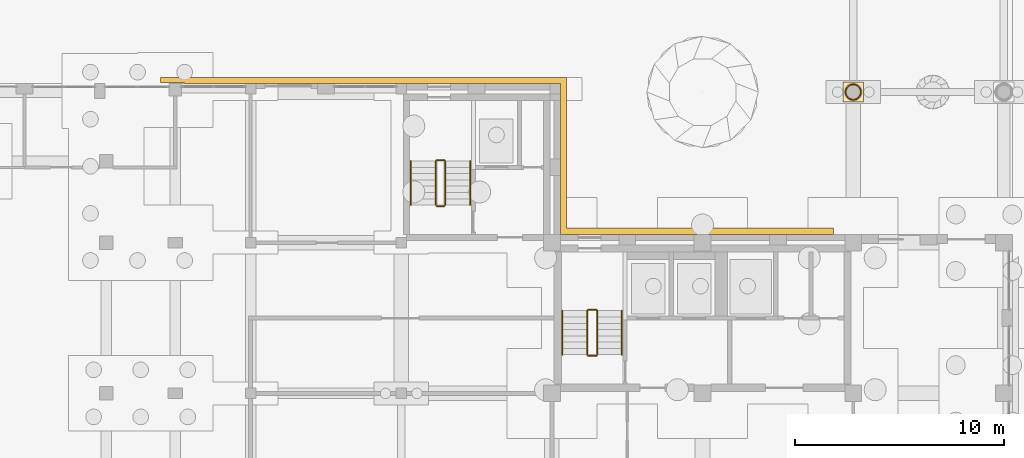
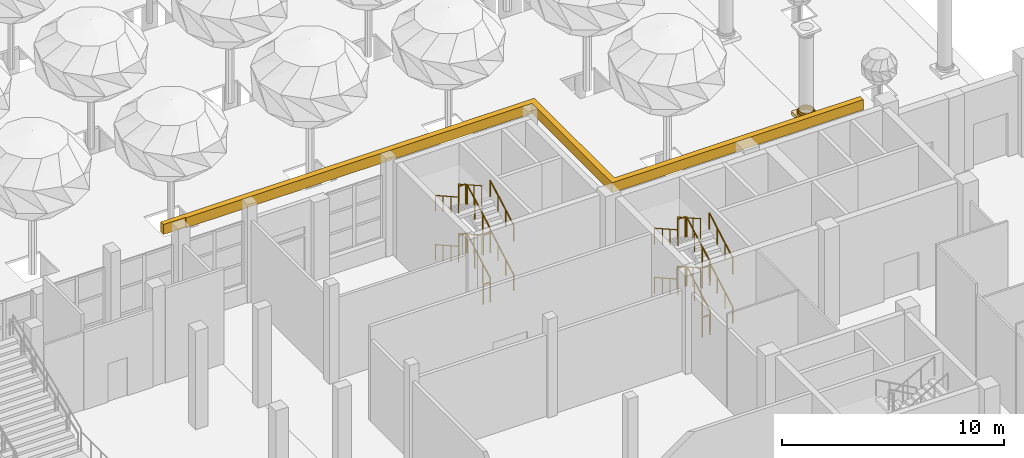
# One storey, part 63 of 80: 24 railings, 4 coverings.
"""IFC4 building model written with IfcOpenShell, lengths in metres."""

import ifcopenshell
import ifcopenshell.guid

model = None  # the IFC model being written
_history = None  # IfcOwnerHistory: only IFC2X3 demands one
_inside = {}  # id of a spatial element -> (the spatial element, [elements in it])
_under = {}  # id of a project, library or spatial element -> (it, [spatial elements below it])
_declared = {}  # id of a project -> (the project, [libraries it declares])
_typed = {}  # id of a type object -> (the type object, [elements of that type])
_made_of = {}  # id of a material, layer set ... -> (it, [elements and type objects made of it])


def new_model(schema):
    """Start an empty IFC model of exactly this schema.

    Asked for "IFC4X3", IfcOpenShell would pick the latest addendum, in which some entities
    have other attributes; the version numbers below select the first issue.
    IFC2X3 requires an IfcOwnerHistory on every rooted entity: one is made here for all.
    """
    global model, _history
    if schema == "IFC4X3":
        model = ifcopenshell.file(schema_version=(4, 3, 0, 0))
    else:
        model = ifcopenshell.file(schema=schema)
    _inside.clear()
    _under.clear()
    _declared.clear()
    _typed.clear()
    _made_of.clear()
    _history = None
    if model.schema == "IFC2X3":
        org = make("IfcOrganization", Name="unknown")
        user = make(
            "IfcPersonAndOrganization",
            ThePerson=make("IfcPerson", FamilyName="unknown"),
            TheOrganization=org,
        )
        app = make(
            "IfcApplication",
            ApplicationDeveloper=org,
            Version="unknown",
            ApplicationFullName="unknown",
            ApplicationIdentifier="unknown",
        )
        _history = make(
            "IfcOwnerHistory",
            OwningUser=user,
            OwningApplication=app,
            ChangeAction="ADDED",
            CreationDate=0,
        )
    return model


def make(cls, **values):
    """One entity of the class cls with the attributes given. An attribute that is None is left unset."""
    return model.create_entity(
        cls, **{name: value for name, value in values.items() if value is not None}
    )


def rooted(cls, **values):
    """An entity with a GlobalId (a new one), such as an element, a storey or a relation."""
    return make(cls, GlobalId=ifcopenshell.guid.new(), OwnerHistory=_history, **values)


def si_unit(unit_type, name, prefix=None):
    """IfcSIUnit, for example si_unit("LENGTHUNIT", "METRE", prefix="MILLI")."""
    return make("IfcSIUnit", UnitType=unit_type, Prefix=prefix, Name=name)


def assignment(units):
    """IfcUnitAssignment: the units of a project."""
    return None if units is None else make("IfcUnitAssignment", Units=units)


def point(xyz):
    """IfcCartesianPoint."""
    return None if xyz is None else make("IfcCartesianPoint", Coordinates=xyz)


def direction(xyz):
    """IfcDirection."""
    return None if xyz is None else make("IfcDirection", DirectionRatios=xyz)


def frame(location, z_axis=None, x_axis=None):
    """IfcAxis2Placement3D, a coordinate frame: its origin and axes. An axis left out is left unset."""
    return make(
        "IfcAxis2Placement3D",
        Location=point(location),
        Axis=direction(z_axis),
        RefDirection=direction(x_axis),
    )


def frame_2d(location, x_axis=None):
    """IfcAxis2Placement2D, a coordinate frame in the plane: its origin and x axis."""
    return make(
        "IfcAxis2Placement2D", Location=point(location), RefDirection=direction(x_axis)
    )


def origin():
    """The frame at (0, 0, 0) with its axes left unset."""
    return frame((0.0, 0.0, 0.0))


def origin_2d():
    """The frame at (0, 0) in the plane with its x axis left unset."""
    return frame_2d((0.0, 0.0))


def place(relative_to, where):
    """IfcLocalPlacement: puts the frame where relative to a parent placement (None: the world)."""
    return make(
        "IfcLocalPlacement", PlacementRelTo=relative_to, RelativePlacement=where
    )


def context(
    kind, dimensions, precision=None, world=None, true_north=None, identifier=None
):
    """IfcGeometricRepresentationContext, for example the 3D "Model" context."""
    return make(
        "IfcGeometricRepresentationContext",
        ContextIdentifier=identifier,
        ContextType=kind,
        CoordinateSpaceDimension=dimensions,
        Precision=precision,
        WorldCoordinateSystem=world,
        TrueNorth=true_north,
    )


def subcontext(parent, identifier, kind, view, scale=None):
    """IfcGeometricRepresentationSubContext, for example "Body" below "Model"."""
    return make(
        "IfcGeometricRepresentationSubContext",
        ContextIdentifier=identifier,
        ContextType=kind,
        ParentContext=parent,
        TargetScale=scale,
        TargetView=view,
    )


def project(units=None, contexts=None):
    """IfcProject with its units and contexts."""
    return rooted(
        "IfcProject",
        Name="project",
        RepresentationContexts=contexts,
        UnitsInContext=assignment(units),
    )


def spatial(cls, under=None, at=None, **own):
    """A site, building, storey or space (cls), placed at a placement, below another one or the project."""
    s = rooted(cls, ObjectPlacement=at, **own)
    if under is not None:
        _under.setdefault(under.id(), (under, []))[1].append(s)
    return s


def polyline(points):
    """IfcPolyline through the points."""
    return make("IfcPolyline", Points=[point(p) for p in points])


def profile(cls, at=None, kind="AREA", **sizes):
    """A parametric profile (cls). Its sizes go by their IFC names, for example OverallWidth=200.0."""
    return make(cls, ProfileType=kind, Position=at, **sizes)


def circle(**sizes):
    """IfcCircleProfileDef."""
    return profile("IfcCircleProfileDef", **sizes)


def outline(outer, holes=None, kind="AREA"):
    """IfcArbitraryClosedProfileDef: a profile drawn as a closed curve; with holes, ...WithVoids."""
    if holes is None:
        return make("IfcArbitraryClosedProfileDef", ProfileType=kind, OuterCurve=outer)
    return make(
        "IfcArbitraryProfileDefWithVoids",
        ProfileType=kind,
        OuterCurve=outer,
        InnerCurves=holes,
    )


def extrude(swept, where, along, depth):
    """IfcExtrudedAreaSolid: the profile swept, set in the frame where, extruded along a direction by depth."""
    return make(
        "IfcExtrudedAreaSolid",
        SweptArea=swept,
        Position=where,
        ExtrudedDirection=direction(along),
        Depth=depth,
    )


def shape(context_of_items, identifier, shape_type, items):
    """IfcShapeRepresentation: the items that make up one representation, for example the "Body"."""
    return make(
        "IfcShapeRepresentation",
        ContextOfItems=context_of_items,
        RepresentationIdentifier=identifier,
        RepresentationType=shape_type,
        Items=items,
    )


def material(Name=None, Category=None):
    """IfcMaterial."""
    return make("IfcMaterial", Name=Name, Category=Category)


def made_of(thing, what):
    """Note that an element or type object is made of a material, layer set ...; save() writes the relation."""
    if what is not None:
        _made_of.setdefault(what.id(), (what, []))[1].append(thing)
    return thing


def type_object(cls, material=None, **own):
    """A type object (cls), such as IfcWallType, which elements share."""
    return made_of(rooted(cls, **own), material)


def element(
    cls,
    number,
    at=None,
    inside=None,
    cuts=None,
    type_object=None,
    material=None,
    context=None,
    identifier="Body",
    shape_type=None,
    held_by="IfcProductDefinitionShape",
    body=None,
    shapes=None,
    **own,
):
    """One element of the class cls, such as IfcWall. Its Tag is "e" and its number.

    at: its placement. inside: the storey or other place that contains it. cuts: it is an
    opening in that element (IfcRelVoidsElement). A single representation is given by context,
    identifier, shape_type and body (its items); several are given by shapes. held_by: the class
    of the entity that holds the representations. save() writes the other relations.
    """
    e = rooted(cls, Tag="e%d" % number, ObjectPlacement=at, **own)
    if body is not None:
        shapes = [shape(context, identifier, shape_type, body)]
    if shapes is not None:
        e.Representation = make(held_by, Representations=shapes)
    if inside is not None:
        _inside.setdefault(inside.id(), (inside, []))[1].append(e)
    if cuts is not None:
        rooted(
            "IfcRelVoidsElement", RelatingBuildingElement=cuts, RelatedOpeningElement=e
        )
    if type_object is not None:
        _typed.setdefault(type_object.id(), (type_object, []))[1].append(e)
    return made_of(e, material)


def aggregate(whole, parts):
    """IfcRelAggregates: a whole, such as a stair, and the parts it consists of."""
    return rooted("IfcRelAggregates", RelatingObject=whole, RelatedObjects=parts)


def save(model, path):
    """Write the relations noted so far, then the file.

    IfcRelAggregates (storeys below a building ...), IfcRelContainedInSpatialStructure (elements
    in a storey), IfcRelDefinesByType, IfcRelAssociatesMaterial and IfcRelDeclares: one each for
    every whole, place, type object, material and project.
    """
    for whole, parts in _under.values():
        aggregate(whole, parts)
    for where, things in _inside.values():
        rooted(
            "IfcRelContainedInSpatialStructure",
            RelatedElements=things,
            RelatingStructure=where,
        )
    for kind, things in _typed.values():
        rooted("IfcRelDefinesByType", RelatedObjects=things, RelatingType=kind)
    for what, things in _made_of.values():
        rooted("IfcRelAssociatesMaterial", RelatedObjects=things, RelatingMaterial=what)
    for by, libraries in _declared.values():
        rooted("IfcRelDeclares", RelatingContext=by, RelatedDefinitions=libraries)
    model.write(path)


model = new_model("IFC4")

# Units and contexts
model_context = context("Model", 3, precision=1e-05, world=origin(), true_north=direction((0.0, 1.0)))
body_context = subcontext(model_context, "Body", "Model", "MODEL_VIEW")
ifc_project = project(units=[si_unit("LENGTHUNIT", "METRE"), si_unit("AREAUNIT", "SQUARE_METRE"), si_unit("VOLUMEUNIT", "CUBIC_METRE"), si_unit("PLANEANGLEUNIT", "RADIAN"), si_unit("MASSUNIT", "GRAM", prefix="KILO")], contexts=[model_context])

# Site, building, storey
site_placement = place(None, origin())
site = spatial("IfcSite", under=ifc_project, at=site_placement, CompositionType="ELEMENT")
building_placement = place(site_placement, origin())
building = spatial("IfcBuilding", under=site, at=building_placement, Name="Ussher Court Research Institute", CompositionType="ELEMENT")
storey_placement = place(building_placement, origin())
storey = spatial("IfcBuildingStorey", under=building, at=storey_placement, Name="L00", CompositionType="ELEMENT", Elevation=0.0)

# Coverings
ifc_material_1 = material(Name="Limestone cornice", Category="masonry")
covering_type_1 = type_object("IfcCoveringType", Name="Column base fillet 650 728x100", PredefinedType="CLADDING", material=ifc_material_1)
covering_1_placement = place(storey_placement, frame((0.0, 0.0, 0.320068359375)))
element("IfcCovering", 1, at=covering_1_placement, inside=storey, type_object=covering_type_1, Name="Column base CC22", PredefinedType="CLADDING", context=body_context, shape_type="SweptSolid", body=[
    extrude(outline(polyline([(96.964111328125, 40.0), (96.9609375, 40.047607421875), (96.95166015625, 40.09423828125), (96.936279296875, 40.139404296875), (96.915283203125, 40.181884765625), (96.888916015625, 40.2216796875), (96.857421875, 40.25732421875), (96.821533203125, 40.288818359375), (96.781982421875, 40.315185546875), (96.7392578125, 40.336181640625), (96.694091796875, 40.3515625), (96.6474609375, 40.36083984375), (96.60009765625, 40.364013671875), (96.552490234375, 40.36083984375), (96.505859375, 40.3515625), (96.460693359375, 40.336181640625), (96.41796875, 40.315185546875), (96.37841796875, 40.288818359375), (96.342529296875, 40.25732421875), (96.311279296875, 40.2216796875), (96.284912109375, 40.181884765625), (96.263671875, 40.139404296875), (96.248291015625, 40.09423828125), (96.239013671875, 40.047607421875), (96.236083984375, 40.0), (96.239013671875, 39.952392578125), (96.248291015625, 39.90576171875), (96.263671875, 39.860595703125), (96.284912109375, 39.818115234375), (96.311279296875, 39.7783203125), (96.342529296875, 39.74267578125), (96.37841796875, 39.711181640625), (96.41796875, 39.684814453125), (96.460693359375, 39.663818359375), (96.505859375, 39.6484375), (96.552490234375, 39.63916015625), (96.60009765625, 39.635986328125), (96.6474609375, 39.63916015625), (96.694091796875, 39.6484375), (96.7392578125, 39.663818359375), (96.781982421875, 39.684814453125), (96.821533203125, 39.711181640625), (96.857421875, 39.74267578125), (96.888916015625, 39.7783203125), (96.915283203125, 39.818115234375), (96.936279296875, 39.860595703125), (96.95166015625, 39.90576171875), (96.9609375, 39.952392578125), (96.964111328125, 40.0)]), holes=[polyline([(96.92578125, 40.0), (96.9228515625, 40.04248046875), (96.91455078125, 40.084228515625), (96.90087890625, 40.12451171875), (96.882080078125, 40.162841796875), (96.8583984375, 40.1982421875), (96.830322265625, 40.230224609375), (96.79833984375, 40.25830078125), (96.7626953125, 40.281982421875), (96.724609375, 40.30078125), (96.684326171875, 40.314697265625), (96.642578125, 40.322998046875), (96.60009765625, 40.32568359375), (96.5576171875, 40.322998046875), (96.515625, 40.314697265625), (96.475341796875, 40.30078125), (96.437255859375, 40.281982421875), (96.401611328125, 40.25830078125), (96.36962890625, 40.230224609375), (96.341552734375, 40.1982421875), (96.31787109375, 40.162841796875), (96.299072265625, 40.12451171875), (96.285400390625, 40.084228515625), (96.277099609375, 40.04248046875), (96.2744140625, 40.0), (96.277099609375, 39.95751953125), (96.285400390625, 39.915771484375), (96.299072265625, 39.87548828125), (96.31787109375, 39.837158203125), (96.341552734375, 39.8017578125), (96.36962890625, 39.769775390625), (96.401611328125, 39.74169921875), (96.437255859375, 39.718017578125), (96.475341796875, 39.69921875), (96.515625, 39.685302734375), (96.5576171875, 39.677001953125), (96.60009765625, 39.67431640625), (96.642578125, 39.677001953125), (96.684326171875, 39.685302734375), (96.724609375, 39.69921875), (96.7626953125, 39.718017578125), (96.79833984375, 39.74169921875), (96.830322265625, 39.769775390625), (96.8583984375, 39.8017578125), (96.882080078125, 39.837158203125), (96.90087890625, 39.87548828125), (96.91455078125, 39.915771484375), (96.9228515625, 39.95751953125), (96.92578125, 40.0)])]), origin(), (0.0, 0.0, 1.0), 0.099853515625),
])
ifc_material_2 = material(Name="Limestone cornice", Category="masonry")
covering_type_2 = type_object("IfcCoveringType", Name="Column base torus 650 812x120", PredefinedType="CLADDING", material=ifc_material_2)
covering_2_placement = place(storey_placement, frame((0.0, 0.0, 0.199951171875)))
element("IfcCovering", 2, at=covering_2_placement, inside=storey, type_object=covering_type_2, Name="Column base CC21", PredefinedType="CLADDING", context=body_context, shape_type="SweptSolid", body=[
    extrude(outline(polyline([(97.006103515625, 40.0), (97.002685546875, 40.052978515625), (96.992431640625, 40.10498046875), (96.975341796875, 40.155517578125), (96.951904296875, 40.203125), (96.92236328125, 40.247314453125), (96.88720703125, 40.287109375), (96.847412109375, 40.322265625), (96.802978515625, 40.351806640625), (96.75537109375, 40.375244140625), (96.705078125, 40.392333984375), (96.653076171875, 40.402587890625), (96.60009765625, 40.40625), (96.547119140625, 40.402587890625), (96.494873046875, 40.392333984375), (96.444580078125, 40.375244140625), (96.39697265625, 40.351806640625), (96.352783203125, 40.322265625), (96.312744140625, 40.287109375), (96.277587890625, 40.247314453125), (96.248291015625, 40.203125), (96.224609375, 40.155517578125), (96.20751953125, 40.10498046875), (96.197265625, 40.052978515625), (96.19384765625, 40.0), (96.197265625, 39.947021484375), (96.20751953125, 39.89501953125), (96.224609375, 39.844482421875), (96.248291015625, 39.796875), (96.277587890625, 39.752685546875), (96.312744140625, 39.712890625), (96.352783203125, 39.677734375), (96.39697265625, 39.648193359375), (96.444580078125, 39.624755859375), (96.494873046875, 39.607666015625), (96.547119140625, 39.597412109375), (96.60009765625, 39.59375), (96.653076171875, 39.597412109375), (96.705078125, 39.607666015625), (96.75537109375, 39.624755859375), (96.802978515625, 39.648193359375), (96.847412109375, 39.677734375), (96.88720703125, 39.712890625), (96.92236328125, 39.752685546875), (96.951904296875, 39.796875), (96.975341796875, 39.844482421875), (96.992431640625, 39.89501953125), (97.002685546875, 39.947021484375), (97.006103515625, 40.0)]), holes=[polyline([(96.92578125, 40.0), (96.9228515625, 40.04248046875), (96.91455078125, 40.084228515625), (96.90087890625, 40.12451171875), (96.882080078125, 40.162841796875), (96.8583984375, 40.1982421875), (96.830322265625, 40.230224609375), (96.79833984375, 40.25830078125), (96.7626953125, 40.281982421875), (96.724609375, 40.30078125), (96.684326171875, 40.314697265625), (96.642578125, 40.322998046875), (96.60009765625, 40.32568359375), (96.5576171875, 40.322998046875), (96.515625, 40.314697265625), (96.475341796875, 40.30078125), (96.437255859375, 40.281982421875), (96.401611328125, 40.25830078125), (96.36962890625, 40.230224609375), (96.341552734375, 40.1982421875), (96.31787109375, 40.162841796875), (96.299072265625, 40.12451171875), (96.285400390625, 40.084228515625), (96.277099609375, 40.04248046875), (96.2744140625, 40.0), (96.277099609375, 39.95751953125), (96.285400390625, 39.915771484375), (96.299072265625, 39.87548828125), (96.31787109375, 39.837158203125), (96.341552734375, 39.8017578125), (96.36962890625, 39.769775390625), (96.401611328125, 39.74169921875), (96.437255859375, 39.718017578125), (96.475341796875, 39.69921875), (96.515625, 39.685302734375), (96.5576171875, 39.677001953125), (96.60009765625, 39.67431640625), (96.642578125, 39.677001953125), (96.684326171875, 39.685302734375), (96.724609375, 39.69921875), (96.7626953125, 39.718017578125), (96.79833984375, 39.74169921875), (96.830322265625, 39.769775390625), (96.8583984375, 39.8017578125), (96.882080078125, 39.837158203125), (96.90087890625, 39.87548828125), (96.91455078125, 39.915771484375), (96.9228515625, 39.95751953125), (96.92578125, 40.0)])]), origin(), (0.0, 0.0, 1.0), 0.1201171875),
])
ifc_material_3 = material(Name="Limestone cornice", Category="masonry")
covering_type_3 = type_object("IfcCoveringType", Name="Column plinth 650 975x200", PredefinedType="CLADDING", material=ifc_material_3)
covering_3_placement = place(storey_placement, origin())
element("IfcCovering", 3, at=covering_3_placement, inside=storey, type_object=covering_type_3, Name="Column base CC20", PredefinedType="CLADDING", context=body_context, shape_type="SweptSolid", body=[
    extrude(outline(polyline([(97.08740234375, 39.512451171875), (97.08740234375, 40.487548828125), (96.112548828125, 40.487548828125), (96.112548828125, 39.512451171875), (97.08740234375, 39.512451171875)]), holes=[polyline([(96.92578125, 40.0), (96.9228515625, 40.04248046875), (96.91455078125, 40.084228515625), (96.90087890625, 40.12451171875), (96.882080078125, 40.162841796875), (96.8583984375, 40.1982421875), (96.830322265625, 40.230224609375), (96.79833984375, 40.25830078125), (96.7626953125, 40.281982421875), (96.724609375, 40.30078125), (96.684326171875, 40.314697265625), (96.642578125, 40.322998046875), (96.60009765625, 40.32568359375), (96.5576171875, 40.322998046875), (96.515625, 40.314697265625), (96.475341796875, 40.30078125), (96.437255859375, 40.281982421875), (96.401611328125, 40.25830078125), (96.36962890625, 40.230224609375), (96.341552734375, 40.1982421875), (96.31787109375, 40.162841796875), (96.299072265625, 40.12451171875), (96.285400390625, 40.084228515625), (96.277099609375, 40.04248046875), (96.2744140625, 40.0), (96.277099609375, 39.95751953125), (96.285400390625, 39.915771484375), (96.299072265625, 39.87548828125), (96.31787109375, 39.837158203125), (96.341552734375, 39.8017578125), (96.36962890625, 39.769775390625), (96.401611328125, 39.74169921875), (96.437255859375, 39.718017578125), (96.475341796875, 39.69921875), (96.515625, 39.685302734375), (96.5576171875, 39.677001953125), (96.60009765625, 39.67431640625), (96.642578125, 39.677001953125), (96.684326171875, 39.685302734375), (96.724609375, 39.69921875), (96.7626953125, 39.718017578125), (96.79833984375, 39.74169921875), (96.830322265625, 39.769775390625), (96.8583984375, 39.8017578125), (96.882080078125, 39.837158203125), (96.90087890625, 39.87548828125), (96.91455078125, 39.915771484375), (96.9228515625, 39.95751953125), (96.92578125, 40.0)])]), origin(), (0.0, 0.0, 1.0), 0.199951171875),
])

# Railings
ifc_material_4 = material(Name="Painted steel balustrade", Category="steel")
railing_type_1 = type_object("IfcRailingType", Name="Stair guard 1100 steel balustrade", PredefinedType="GUARDRAIL", material=ifc_material_4)
railing_1_placement = place(storey_placement, frame((77.10009765625, 34.60009765625, 0.168701171875)))
element("IfcRailing", 4, at=railing_1_placement, inside=storey, type_object=railing_type_1, Name="L00 E1 stair guard 1", PredefinedType="GUARDRAIL", context=body_context, shape_type="SweptSolid", body=[
    extrude(circle(Radius=0.02392578125, at=origin_2d()), frame((0.0, 0.0, 1.076171875), z_axis=(0.0, 0.871534942205, 0.490333401387), x_axis=(-1.0, 0.0, 0.0)), (0.0, 0.0, 1.0), 2.409423828125),
    extrude(circle(Radius=0.02099609375, at=origin_2d()), origin(), (0.0, 0.0, 1.0), 1.052001953125),
    extrude(circle(Radius=0.02099609375, at=origin_2d()), frame((0.0, 0.699951171875, 0.393798828125)), (0.0, 0.0, 1.0), 1.052001953125),
    extrude(circle(Radius=0.02099609375, at=origin_2d()), frame((0.0, 1.39990234375, 0.78759765625)), (0.0, 0.0, 1.0), 1.052001953125),
    extrude(circle(Radius=0.02099609375, at=origin_2d()), frame((0.0, 2.099853515625, 1.181396484375)), (0.0, 0.0, 1.0), 1.052001953125),
])
railing_2_placement = place(storey_placement, frame((77.050048828125, 36.75, 1.35009765625)))
element("IfcRailing", 5, at=railing_2_placement, inside=storey, type_object=railing_type_1, Name="L00 E1 stair guard 2", PredefinedType="GUARDRAIL", context=body_context, shape_type="SweptSolid", body=[
    extrude(circle(Radius=0.02392578125, at=origin_2d()), frame((0.0, 0.0, 1.076171875), z_axis=(-1.0, 0.0, 0.0), x_axis=(0.0, -1.0, 0.0)), (0.0, 0.0, 1.0), 0.35009765625),
    extrude(circle(Radius=0.02099609375, at=origin_2d()), origin(), (0.0, 0.0, 1.0), 1.052001953125),
    extrude(circle(Radius=0.02099609375, at=origin_2d()), frame((-0.35009765625, 0.0, 0.0)), (0.0, 0.0, 1.0), 1.052001953125),
])
railing_3_placement = place(storey_placement, frame((76.64990234375, 36.699951171875, 1.518798828125)))
element("IfcRailing", 6, at=railing_3_placement, inside=storey, type_object=railing_type_1, Name="L00 E1 stair guard 3", PredefinedType="GUARDRAIL", context=body_context, shape_type="SweptSolid", body=[
    extrude(circle(Radius=0.02392578125, at=origin_2d()), frame((0.0, 0.0, 1.076171875), z_axis=(0.0, -0.871578243375, 0.49025642849), x_axis=(1.0, 0.0, 0.0)), (0.0, 0.0, 1.0), 2.4091796875),
    extrude(circle(Radius=0.02099609375, at=origin_2d()), origin(), (0.0, 0.0, 1.0), 1.052001953125),
    extrude(circle(Radius=0.02099609375, at=origin_2d()), frame((0.0, -0.699951171875, 0.393798828125)), (0.0, 0.0, 1.0), 1.052001953125),
    extrude(circle(Radius=0.02099609375, at=origin_2d()), frame((0.0, -1.39990234375, 0.787353515625)), (0.0, 0.0, 1.0), 1.052001953125),
    extrude(circle(Radius=0.02099609375, at=origin_2d()), frame((0.0, -2.099853515625, 1.18115234375)), (0.0, 0.0, 1.0), 1.052001953125),
])
railing_4_placement = place(storey_placement, frame((77.050048828125, 34.550048828125, 2.699951171875)))
element("IfcRailing", 7, at=railing_4_placement, inside=storey, type_object=railing_type_1, Name="L00 E1 stair guard 4", PredefinedType="GUARDRAIL", context=body_context, shape_type="SweptSolid", body=[
    extrude(circle(Radius=0.02392578125, at=origin_2d()), frame((0.0, 0.0, 1.076171875), z_axis=(-1.0, 0.0, 0.0), x_axis=(0.0, -1.0, 0.0)), (0.0, 0.0, 1.0), 0.35009765625),
    extrude(circle(Radius=0.02099609375, at=origin_2d()), origin(), (0.0, 0.0, 1.0), 1.052001953125),
    extrude(circle(Radius=0.02099609375, at=origin_2d()), frame((-0.35009765625, 0.0, 0.0)), (0.0, 0.0, 1.0), 1.052001953125),
])
railing_5_placement = place(storey_placement, frame((77.10009765625, 34.60009765625, 2.86865234375)))
element("IfcRailing", 8, at=railing_5_placement, inside=storey, type_object=railing_type_1, Name="L00 E1 stair guard 5", PredefinedType="GUARDRAIL", context=body_context, shape_type="SweptSolid", body=[
    extrude(circle(Radius=0.02392578125, at=origin_2d()), frame((0.0, 0.0, 1.076171875), z_axis=(0.0, 0.871534942205, 0.490333401387), x_axis=(-1.0, 0.0, 0.0)), (0.0, 0.0, 1.0), 2.409423828125),
    extrude(circle(Radius=0.02099609375, at=origin_2d()), origin(), (0.0, 0.0, 1.0), 1.052001953125),
    extrude(circle(Radius=0.02099609375, at=origin_2d()), frame((0.0, 0.699951171875, 0.393798828125)), (0.0, 0.0, 1.0), 1.052001953125),
    extrude(circle(Radius=0.02099609375, at=origin_2d()), frame((0.0, 1.39990234375, 0.78759765625)), (0.0, 0.0, 1.0), 1.052001953125),
    extrude(circle(Radius=0.02099609375, at=origin_2d()), frame((0.0, 2.099853515625, 1.181396484375)), (0.0, 0.0, 1.0), 1.052001953125),
])
railing_6_placement = place(storey_placement, frame((77.050048828125, 36.75, 4.050048828125)))
element("IfcRailing", 9, at=railing_6_placement, inside=storey, type_object=railing_type_1, Name="L00 E1 stair guard 6", PredefinedType="GUARDRAIL", context=body_context, shape_type="SweptSolid", body=[
    extrude(circle(Radius=0.02392578125, at=origin_2d()), frame((0.0, 0.0, 1.076171875), z_axis=(-1.0, 0.0, 0.0), x_axis=(0.0, -1.0, 0.0)), (0.0, 0.0, 1.0), 0.35009765625),
    extrude(circle(Radius=0.02099609375, at=origin_2d()), origin(), (0.0, 0.0, 1.0), 1.052001953125),
    extrude(circle(Radius=0.02099609375, at=origin_2d()), frame((-0.35009765625, 0.0, 0.0)), (0.0, 0.0, 1.0), 1.052001953125),
])
railing_7_placement = place(storey_placement, frame((76.64990234375, 36.699951171875, 4.21875)))
element("IfcRailing", 10, at=railing_7_placement, inside=storey, type_object=railing_type_1, Name="L00 E1 stair guard 7", PredefinedType="GUARDRAIL", context=body_context, shape_type="SweptSolid", body=[
    extrude(circle(Radius=0.02392578125, at=origin_2d()), frame((0.0, 0.0, 1.076171875), z_axis=(0.0, -0.871578243375, 0.49025642849), x_axis=(1.0, 0.0, 0.0)), (0.0, 0.0, 1.0), 2.4091796875),
    extrude(circle(Radius=0.02099609375, at=origin_2d()), origin(), (0.0, 0.0, 1.0), 1.052001953125),
    extrude(circle(Radius=0.02099609375, at=origin_2d()), frame((0.0, -0.699951171875, 0.393798828125)), (0.0, 0.0, 1.0), 1.052001953125),
    extrude(circle(Radius=0.02099609375, at=origin_2d()), frame((0.0, -1.39990234375, 0.787353515625)), (0.0, 0.0, 1.0), 1.052001953125),
    extrude(circle(Radius=0.02099609375, at=origin_2d()), frame((0.0, -2.099853515625, 1.18115234375)), (0.0, 0.0, 1.0), 1.052001953125),
])
railing_8_placement = place(storey_placement, frame((77.050048828125, 34.550048828125, 0.0)))
element("IfcRailing", 11, at=railing_8_placement, inside=storey, type_object=railing_type_1, Name="L00 E1 stair guard 8", PredefinedType="GUARDRAIL", context=body_context, shape_type="SweptSolid", body=[
    extrude(circle(Radius=0.02392578125, at=origin_2d()), frame((0.0, 0.0, 1.076171875), z_axis=(-1.0, 0.0, 0.0), x_axis=(0.0, -1.0, 0.0)), (0.0, 0.0, 1.0), 0.35009765625),
    extrude(circle(Radius=0.02099609375, at=origin_2d()), origin(), (0.0, 0.0, 1.0), 1.052001953125),
    extrude(circle(Radius=0.02099609375, at=origin_2d()), frame((-0.35009765625, 0.0, 0.0)), (0.0, 0.0, 1.0), 1.052001953125),
])
railing_9_placement = place(storey_placement, frame((84.3701171875, 27.449951171875, 0.168701171875)))
element("IfcRailing", 12, at=railing_9_placement, inside=storey, type_object=railing_type_1, Name="L00 T1 stair guard 1", PredefinedType="GUARDRAIL", context=body_context, shape_type="SweptSolid", body=[
    extrude(circle(Radius=0.02392578125, at=origin_2d()), frame((0.0, 0.0, 1.076171875), z_axis=(0.0, 0.871559301308, 0.490290102189), x_axis=(-1.0, 0.0, 0.0)), (0.0, 0.0, 1.0), 2.40966796875),
    extrude(circle(Radius=0.02099609375, at=origin_2d()), origin(), (0.0, 0.0, 1.0), 1.052001953125),
    extrude(circle(Radius=0.02099609375, at=origin_2d()), frame((0.0, 0.699951171875, 0.393798828125)), (0.0, 0.0, 1.0), 1.052001953125),
    extrude(circle(Radius=0.02099609375, at=origin_2d()), frame((0.0, 1.400146484375, 0.78759765625)), (0.0, 0.0, 1.0), 1.052001953125),
    extrude(circle(Radius=0.02099609375, at=origin_2d()), frame((0.0, 2.10009765625, 1.181396484375)), (0.0, 0.0, 1.0), 1.052001953125),
])
railing_10_placement = place(storey_placement, frame((84.320068359375, 29.60009765625, 1.35009765625)))
element("IfcRailing", 13, at=railing_10_placement, inside=storey, type_object=railing_type_1, Name="L00 T1 stair guard 2", PredefinedType="GUARDRAIL", context=body_context, shape_type="SweptSolid", body=[
    extrude(circle(Radius=0.02392578125, at=origin_2d()), frame((0.0, 0.0, 1.076171875), z_axis=(-1.0, 0.0, 0.0), x_axis=(0.0, -1.0, 0.0)), (0.0, 0.0, 1.0), 0.39013671875),
    extrude(circle(Radius=0.02099609375, at=origin_2d()), origin(), (0.0, 0.0, 1.0), 1.052001953125),
    extrude(circle(Radius=0.02099609375, at=origin_2d()), frame((-0.39013671875, 0.0, 0.0)), (0.0, 0.0, 1.0), 1.052001953125),
])
railing_11_placement = place(storey_placement, frame((83.8798828125, 29.550048828125, 1.518798828125)))
element("IfcRailing", 14, at=railing_11_placement, inside=storey, type_object=railing_type_1, Name="L00 T1 stair guard 3", PredefinedType="GUARDRAIL", context=body_context, shape_type="SweptSolid", body=[
    extrude(circle(Radius=0.02392578125, at=origin_2d()), frame((0.0, 0.0, 1.076171875), z_axis=(0.0, -0.871602596039, 0.490213131788), x_axis=(1.0, 0.0, 0.0)), (0.0, 0.0, 1.0), 2.409423828125),
    extrude(circle(Radius=0.02099609375, at=origin_2d()), origin(), (0.0, 0.0, 1.0), 1.052001953125),
    extrude(circle(Radius=0.02099609375, at=origin_2d()), frame((0.0, -0.699951171875, 0.393798828125)), (0.0, 0.0, 1.0), 1.052001953125),
    extrude(circle(Radius=0.02099609375, at=origin_2d()), frame((0.0, -1.400146484375, 0.787353515625)), (0.0, 0.0, 1.0), 1.052001953125),
    extrude(circle(Radius=0.02099609375, at=origin_2d()), frame((0.0, -2.10009765625, 1.18115234375)), (0.0, 0.0, 1.0), 1.052001953125),
])
railing_12_placement = place(storey_placement, frame((84.320068359375, 27.39990234375, 2.699951171875)))
element("IfcRailing", 15, at=railing_12_placement, inside=storey, type_object=railing_type_1, Name="L00 T1 stair guard 4", PredefinedType="GUARDRAIL", context=body_context, shape_type="SweptSolid", body=[
    extrude(circle(Radius=0.02392578125, at=origin_2d()), frame((0.0, 0.0, 1.076171875), z_axis=(-1.0, 0.0, 0.0), x_axis=(0.0, -1.0, 0.0)), (0.0, 0.0, 1.0), 0.39013671875),
    extrude(circle(Radius=0.02099609375, at=origin_2d()), origin(), (0.0, 0.0, 1.0), 1.052001953125),
    extrude(circle(Radius=0.02099609375, at=origin_2d()), frame((-0.39013671875, 0.0, 0.0)), (0.0, 0.0, 1.0), 1.052001953125),
])
railing_13_placement = place(storey_placement, frame((84.3701171875, 27.449951171875, 2.86865234375)))
element("IfcRailing", 16, at=railing_13_placement, inside=storey, type_object=railing_type_1, Name="L00 T1 stair guard 5", PredefinedType="GUARDRAIL", context=body_context, shape_type="SweptSolid", body=[
    extrude(circle(Radius=0.02392578125, at=origin_2d()), frame((0.0, 0.0, 1.076171875), z_axis=(0.0, 0.871559301308, 0.490290102189), x_axis=(-1.0, 0.0, 0.0)), (0.0, 0.0, 1.0), 2.40966796875),
    extrude(circle(Radius=0.02099609375, at=origin_2d()), origin(), (0.0, 0.0, 1.0), 1.052001953125),
    extrude(circle(Radius=0.02099609375, at=origin_2d()), frame((0.0, 0.699951171875, 0.393798828125)), (0.0, 0.0, 1.0), 1.052001953125),
    extrude(circle(Radius=0.02099609375, at=origin_2d()), frame((0.0, 1.400146484375, 0.78759765625)), (0.0, 0.0, 1.0), 1.052001953125),
    extrude(circle(Radius=0.02099609375, at=origin_2d()), frame((0.0, 2.10009765625, 1.181396484375)), (0.0, 0.0, 1.0), 1.052001953125),
])
railing_14_placement = place(storey_placement, frame((84.320068359375, 29.60009765625, 4.050048828125)))
element("IfcRailing", 17, at=railing_14_placement, inside=storey, type_object=railing_type_1, Name="L00 T1 stair guard 6", PredefinedType="GUARDRAIL", context=body_context, shape_type="SweptSolid", body=[
    extrude(circle(Radius=0.02392578125, at=origin_2d()), frame((0.0, 0.0, 1.076171875), z_axis=(-1.0, 0.0, 0.0), x_axis=(0.0, -1.0, 0.0)), (0.0, 0.0, 1.0), 0.39013671875),
    extrude(circle(Radius=0.02099609375, at=origin_2d()), origin(), (0.0, 0.0, 1.0), 1.052001953125),
    extrude(circle(Radius=0.02099609375, at=origin_2d()), frame((-0.39013671875, 0.0, 0.0)), (0.0, 0.0, 1.0), 1.052001953125),
])
railing_15_placement = place(storey_placement, frame((83.8798828125, 29.550048828125, 4.21875)))
element("IfcRailing", 18, at=railing_15_placement, inside=storey, type_object=railing_type_1, Name="L00 T1 stair guard 7", PredefinedType="GUARDRAIL", context=body_context, shape_type="SweptSolid", body=[
    extrude(circle(Radius=0.02392578125, at=origin_2d()), frame((0.0, 0.0, 1.076171875), z_axis=(0.0, -0.871602596039, 0.490213131788), x_axis=(1.0, 0.0, 0.0)), (0.0, 0.0, 1.0), 2.409423828125),
    extrude(circle(Radius=0.02099609375, at=origin_2d()), origin(), (0.0, 0.0, 1.0), 1.052001953125),
    extrude(circle(Radius=0.02099609375, at=origin_2d()), frame((0.0, -0.699951171875, 0.393798828125)), (0.0, 0.0, 1.0), 1.052001953125),
    extrude(circle(Radius=0.02099609375, at=origin_2d()), frame((0.0, -1.400146484375, 0.787353515625)), (0.0, 0.0, 1.0), 1.052001953125),
    extrude(circle(Radius=0.02099609375, at=origin_2d()), frame((0.0, -2.10009765625, 1.18115234375)), (0.0, 0.0, 1.0), 1.052001953125),
])
railing_16_placement = place(storey_placement, frame((84.320068359375, 27.39990234375, 0.0)))
element("IfcRailing", 19, at=railing_16_placement, inside=storey, type_object=railing_type_1, Name="L00 T1 stair guard 8", PredefinedType="GUARDRAIL", context=body_context, shape_type="SweptSolid", body=[
    extrude(circle(Radius=0.02392578125, at=origin_2d()), frame((0.0, 0.0, 1.076171875), z_axis=(-1.0, 0.0, 0.0), x_axis=(0.0, -1.0, 0.0)), (0.0, 0.0, 1.0), 0.39013671875),
    extrude(circle(Radius=0.02099609375, at=origin_2d()), origin(), (0.0, 0.0, 1.0), 1.052001953125),
    extrude(circle(Radius=0.02099609375, at=origin_2d()), frame((-0.39013671875, 0.0, 0.0)), (0.0, 0.0, 1.0), 1.052001953125),
])
ifc_material_5 = material(Name="Painted steel handrail", Category="steel")
railing_type_2 = type_object("IfcRailingType", Name="Stair handrail 900 steel", PredefinedType="HANDRAIL", material=ifc_material_5)
railing_17_placement = place(storey_placement, frame((78.300048828125, 34.60009765625, 0.168701171875)))
element("IfcRailing", 20, at=railing_17_placement, inside=storey, type_object=railing_type_2, Name="L00 E1 stair handrail 1", PredefinedType="HANDRAIL", context=body_context, shape_type="SweptSolid", body=[
    extrude(circle(Radius=0.02392578125, at=origin_2d()), frame((0.0, 0.0, 0.8759765625), z_axis=(0.0, 0.871534942205, 0.490333401387), x_axis=(-1.0, 0.0, 0.0)), (0.0, 0.0, 1.0), 2.409423828125),
    extrude(circle(Radius=0.02099609375, at=origin_2d()), origin(), (0.0, 0.0, 1.0), 0.851806640625),
    extrude(circle(Radius=0.02099609375, at=origin_2d()), frame((0.0, 0.699951171875, 0.393798828125)), (0.0, 0.0, 1.0), 0.851806640625),
    extrude(circle(Radius=0.02099609375, at=origin_2d()), frame((0.0, 1.39990234375, 0.78759765625)), (0.0, 0.0, 1.0), 0.851806640625),
    extrude(circle(Radius=0.02099609375, at=origin_2d()), frame((0.0, 2.099853515625, 1.181396484375)), (0.0, 0.0, 1.0), 0.851806640625),
])
railing_18_placement = place(storey_placement, frame((75.449951171875, 36.699951171875, 1.518798828125)))
element("IfcRailing", 21, at=railing_18_placement, inside=storey, type_object=railing_type_2, Name="L00 E1 stair handrail 2", PredefinedType="HANDRAIL", context=body_context, shape_type="SweptSolid", body=[
    extrude(circle(Radius=0.02392578125, at=origin_2d()), frame((0.0, 0.0, 0.8759765625), z_axis=(0.0, -0.871578243375, 0.49025642849), x_axis=(1.0, 0.0, 0.0)), (0.0, 0.0, 1.0), 2.4091796875),
    extrude(circle(Radius=0.02099609375, at=origin_2d()), origin(), (0.0, 0.0, 1.0), 0.851806640625),
    extrude(circle(Radius=0.02099609375, at=origin_2d()), frame((0.0, -0.699951171875, 0.393798828125)), (0.0, 0.0, 1.0), 0.851806640625),
    extrude(circle(Radius=0.02099609375, at=origin_2d()), frame((0.0, -1.39990234375, 0.787353515625)), (0.0, 0.0, 1.0), 0.851806640625),
    extrude(circle(Radius=0.02099609375, at=origin_2d()), frame((0.0, -2.099853515625, 1.18115234375)), (0.0, 0.0, 1.0), 0.851806640625),
])
railing_19_placement = place(storey_placement, frame((78.300048828125, 34.60009765625, 2.86865234375)))
element("IfcRailing", 22, at=railing_19_placement, inside=storey, type_object=railing_type_2, Name="L00 E1 stair handrail 3", PredefinedType="HANDRAIL", context=body_context, shape_type="SweptSolid", body=[
    extrude(circle(Radius=0.02392578125, at=origin_2d()), frame((0.0, 0.0, 0.8759765625), z_axis=(0.0, 0.871534942205, 0.490333401387), x_axis=(-1.0, 0.0, 0.0)), (0.0, 0.0, 1.0), 2.409423828125),
    extrude(circle(Radius=0.02099609375, at=origin_2d()), origin(), (0.0, 0.0, 1.0), 0.851806640625),
    extrude(circle(Radius=0.02099609375, at=origin_2d()), frame((0.0, 0.699951171875, 0.393798828125)), (0.0, 0.0, 1.0), 0.851806640625),
    extrude(circle(Radius=0.02099609375, at=origin_2d()), frame((0.0, 1.39990234375, 0.78759765625)), (0.0, 0.0, 1.0), 0.851806640625),
    extrude(circle(Radius=0.02099609375, at=origin_2d()), frame((0.0, 2.099853515625, 1.181396484375)), (0.0, 0.0, 1.0), 0.851806640625),
])
railing_20_placement = place(storey_placement, frame((75.449951171875, 36.699951171875, 4.21875)))
element("IfcRailing", 23, at=railing_20_placement, inside=storey, type_object=railing_type_2, Name="L00 E1 stair handrail 4", PredefinedType="HANDRAIL", context=body_context, shape_type="SweptSolid", body=[
    extrude(circle(Radius=0.02392578125, at=origin_2d()), frame((0.0, 0.0, 0.8759765625), z_axis=(0.0, -0.871578243375, 0.49025642849), x_axis=(1.0, 0.0, 0.0)), (0.0, 0.0, 1.0), 2.4091796875),
    extrude(circle(Radius=0.02099609375, at=origin_2d()), origin(), (0.0, 0.0, 1.0), 0.851806640625),
    extrude(circle(Radius=0.02099609375, at=origin_2d()), frame((0.0, -0.699951171875, 0.393798828125)), (0.0, 0.0, 1.0), 0.851806640625),
    extrude(circle(Radius=0.02099609375, at=origin_2d()), frame((0.0, -1.39990234375, 0.787353515625)), (0.0, 0.0, 1.0), 0.851806640625),
    extrude(circle(Radius=0.02099609375, at=origin_2d()), frame((0.0, -2.099853515625, 1.18115234375)), (0.0, 0.0, 1.0), 0.851806640625),
])
railing_21_placement = place(storey_placement, frame((85.550048828125, 27.449951171875, 0.168701171875)))
element("IfcRailing", 24, at=railing_21_placement, inside=storey, type_object=railing_type_2, Name="L00 T1 stair handrail 1", PredefinedType="HANDRAIL", context=body_context, shape_type="SweptSolid", body=[
    extrude(circle(Radius=0.02392578125, at=origin_2d()), frame((0.0, 0.0, 0.8759765625), z_axis=(0.0, 0.871559301308, 0.490290102189), x_axis=(-1.0, 0.0, 0.0)), (0.0, 0.0, 1.0), 2.40966796875),
    extrude(circle(Radius=0.02099609375, at=origin_2d()), origin(), (0.0, 0.0, 1.0), 0.851806640625),
    extrude(circle(Radius=0.02099609375, at=origin_2d()), frame((0.0, 0.699951171875, 0.393798828125)), (0.0, 0.0, 1.0), 0.851806640625),
    extrude(circle(Radius=0.02099609375, at=origin_2d()), frame((0.0, 1.400146484375, 0.78759765625)), (0.0, 0.0, 1.0), 0.851806640625),
    extrude(circle(Radius=0.02099609375, at=origin_2d()), frame((0.0, 2.10009765625, 1.181396484375)), (0.0, 0.0, 1.0), 0.851806640625),
])
railing_22_placement = place(storey_placement, frame((82.699951171875, 29.550048828125, 1.518798828125)))
element("IfcRailing", 25, at=railing_22_placement, inside=storey, type_object=railing_type_2, Name="L00 T1 stair handrail 2", PredefinedType="HANDRAIL", context=body_context, shape_type="SweptSolid", body=[
    extrude(circle(Radius=0.02392578125, at=origin_2d()), frame((0.0, 0.0, 0.8759765625), z_axis=(0.0, -0.871602596039, 0.490213131788), x_axis=(1.0, 0.0, 0.0)), (0.0, 0.0, 1.0), 2.409423828125),
    extrude(circle(Radius=0.02099609375, at=origin_2d()), origin(), (0.0, 0.0, 1.0), 0.851806640625),
    extrude(circle(Radius=0.02099609375, at=origin_2d()), frame((0.0, -0.699951171875, 0.393798828125)), (0.0, 0.0, 1.0), 0.851806640625),
    extrude(circle(Radius=0.02099609375, at=origin_2d()), frame((0.0, -1.400146484375, 0.787353515625)), (0.0, 0.0, 1.0), 0.851806640625),
    extrude(circle(Radius=0.02099609375, at=origin_2d()), frame((0.0, -2.10009765625, 1.18115234375)), (0.0, 0.0, 1.0), 0.851806640625),
])
railing_23_placement = place(storey_placement, frame((85.550048828125, 27.449951171875, 2.86865234375)))
element("IfcRailing", 26, at=railing_23_placement, inside=storey, type_object=railing_type_2, Name="L00 T1 stair handrail 3", PredefinedType="HANDRAIL", context=body_context, shape_type="SweptSolid", body=[
    extrude(circle(Radius=0.02392578125, at=origin_2d()), frame((0.0, 0.0, 0.8759765625), z_axis=(0.0, 0.871559301308, 0.490290102189), x_axis=(-1.0, 0.0, 0.0)), (0.0, 0.0, 1.0), 2.40966796875),
    extrude(circle(Radius=0.02099609375, at=origin_2d()), origin(), (0.0, 0.0, 1.0), 0.851806640625),
    extrude(circle(Radius=0.02099609375, at=origin_2d()), frame((0.0, 0.699951171875, 0.393798828125)), (0.0, 0.0, 1.0), 0.851806640625),
    extrude(circle(Radius=0.02099609375, at=origin_2d()), frame((0.0, 1.400146484375, 0.78759765625)), (0.0, 0.0, 1.0), 0.851806640625),
    extrude(circle(Radius=0.02099609375, at=origin_2d()), frame((0.0, 2.10009765625, 1.181396484375)), (0.0, 0.0, 1.0), 0.851806640625),
])
railing_24_placement = place(storey_placement, frame((82.699951171875, 29.550048828125, 4.21875)))
element("IfcRailing", 27, at=railing_24_placement, inside=storey, type_object=railing_type_2, Name="L00 T1 stair handrail 4", PredefinedType="HANDRAIL", context=body_context, shape_type="SweptSolid", body=[
    extrude(circle(Radius=0.02392578125, at=origin_2d()), frame((0.0, 0.0, 0.8759765625), z_axis=(0.0, -0.871602596039, 0.490213131788), x_axis=(1.0, 0.0, 0.0)), (0.0, 0.0, 1.0), 2.409423828125),
    extrude(circle(Radius=0.02099609375, at=origin_2d()), origin(), (0.0, 0.0, 1.0), 0.851806640625),
    extrude(circle(Radius=0.02099609375, at=origin_2d()), frame((0.0, -0.699951171875, 0.393798828125)), (0.0, 0.0, 1.0), 0.851806640625),
    extrude(circle(Radius=0.02099609375, at=origin_2d()), frame((0.0, -1.400146484375, 0.787353515625)), (0.0, 0.0, 1.0), 0.851806640625),
    extrude(circle(Radius=0.02099609375, at=origin_2d()), frame((0.0, -2.10009765625, 1.18115234375)), (0.0, 0.0, 1.0), 0.851806640625),
])

# Covering
ifc_material_6 = material(Name="Limestone cornice", Category="masonry")
covering_type_4 = type_object("IfcCoveringType", Name="String course 300x550", PredefinedType="CLADDING", material=ifc_material_6)
covering_4_placement = place(storey_placement, frame((0.0, 0.0, 4.85009765625)))
element("IfcCovering", 28, at=covering_4_placement, inside=storey, type_object=covering_type_4, Name="String course CC4", PredefinedType="CLADDING", context=body_context, shape_type="SweptSolid", body=[
    extrude(outline(polyline([(82.89990234375, 40.699951171875), (63.5, 40.699951171875), (63.5, 40.449951171875), (64.64990234375, 40.449951171875), (64.64990234375, 40.39990234375), (82.60009765625, 40.39990234375), (82.60009765625, 33.199951171875), (95.64990234375, 33.199951171875), (95.64990234375, 33.5), (82.89990234375, 33.5), (82.89990234375, 40.699951171875)])), origin(), (0.0, 0.0, 1.0), 0.5498046875),
])

save(model, "model.ifc")
